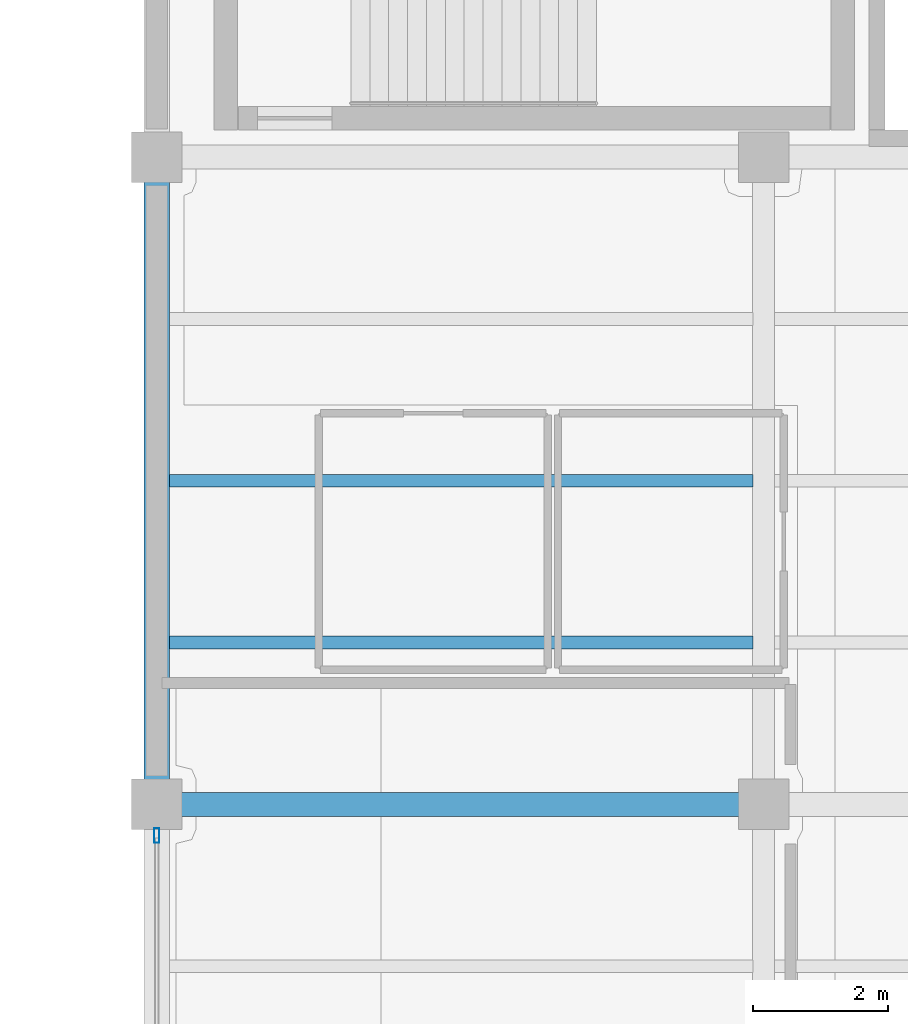
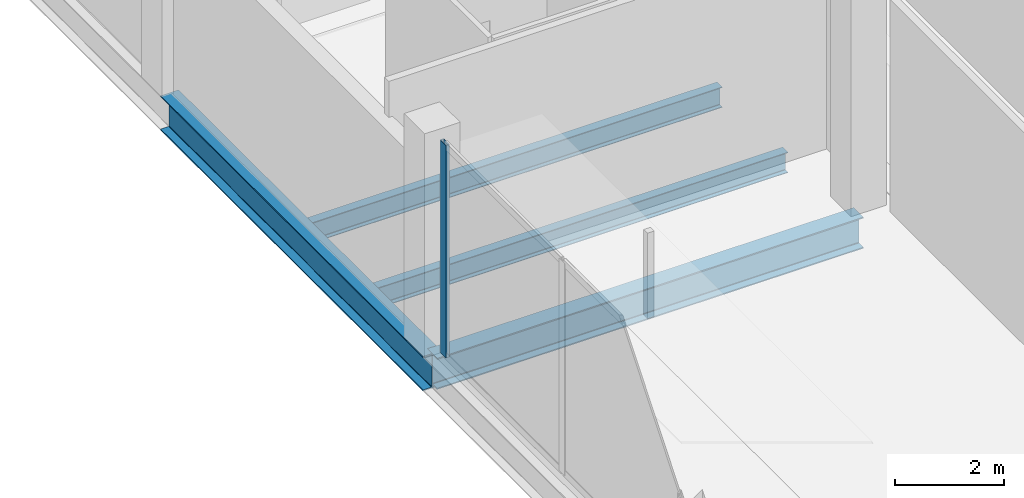
# One storey, part 13 of 47: 4 beams, 1 member, 1 element without a shape of its own.
"""IFC4 building model written with IfcOpenShell, lengths in metres."""

from ifc_helpers import new_model, si_unit, direction, frame, origin, origin_2d, place, context, subcontext, project, spatial, hollow_rectangle, i_section, extrude, material, layer, layer_set, material_profile, profile_set, type_object, element, aggregate, save


model = new_model("IFC4")

# Units and contexts
model_context = context("Model", 3, precision=1e-05, world=origin(), true_north=direction((0.0, 1.0)))
body_context = subcontext(model_context, "Body", "Model", "MODEL_VIEW")
ifc_project = project(units=[si_unit("LENGTHUNIT", "METRE"), si_unit("AREAUNIT", "SQUARE_METRE"), si_unit("VOLUMEUNIT", "CUBIC_METRE"), si_unit("PLANEANGLEUNIT", "RADIAN"), si_unit("MASSUNIT", "GRAM", prefix="KILO")], contexts=[model_context])

# Site, building, storey
site_placement = place(None, origin())
site = spatial("IfcSite", under=ifc_project, at=site_placement, CompositionType="ELEMENT")
building_placement = place(site_placement, origin())
building = spatial("IfcBuilding", under=site, at=building_placement, Name="Qorvath Tower", CompositionType="ELEMENT")
storey_placement = place(building_placement, frame((0.0, 0.0, 12.0)))
storey = spatial("IfcBuildingStorey", under=building, at=storey_placement, Name="L02", CompositionType="ELEMENT", Elevation=12.0)

# Beams
ifc_material_1 = material(Name="Steel ASTM A992 Grade 50", Category="steel")
ifc_material_profile_1 = material_profile(ifc_material_1, i_section(OverallWidth=0.381103515625, OverallDepth=0.77294921875, WebThickness=0.0166015625, FlangeThickness=0.027099609375, FilletRadius=0.01904296875, at=origin_2d()), Name="W30x173")
ifc_profile_set_1 = profile_set([ifc_material_profile_1], Name="Steel ASTM A992 Grade 50")
beam_type_1 = type_object("IfcBeamType", Name="BM-FG3", PredefinedType="BEAM", material=ifc_profile_set_1)
beam_1_placement = place(storey_placement, frame((32.39990234375, 19.199951171875, -0.646484375), z_axis=(0.0, 1.0, 0.0), x_axis=(-1.0, 0.0, 0.0)))
element("IfcBeam", 1, at=beam_1_placement, inside=storey, type_object=beam_type_1, Name="Library N-S Girder L02-1-7", PredefinedType="BEAM", context=body_context, shape_type="SweptSolid", body=[
    extrude(i_section(OverallWidth=0.381103515625, OverallDepth=0.77294921875, WebThickness=0.0166015625, FlangeThickness=0.027099609375, FilletRadius=0.01904296875, at=origin_2d()), origin(), (0.0, 0.0, 1.0), 9.60009765625),
])
ifc_material_2 = material(Name="Steel ASTM A992 Grade 50", Category="steel")
ifc_material_profile_2 = material_profile(ifc_material_2, i_section(OverallWidth=0.35595703125, OverallDepth=0.696044921875, WebThickness=0.015380859375, FlangeThickness=0.02490234375, FilletRadius=0.01806640625, at=origin_2d()), Name="W27x146")
ifc_profile_set_2 = profile_set([ifc_material_profile_2], Name="Steel ASTM A992 Grade 50")
beam_type_2 = type_object("IfcBeamType", Name="BM-FG4", PredefinedType="BEAM", material=ifc_profile_set_2)
beam_2_placement = place(storey_placement, frame((32.39990234375, 19.199951171875, -0.60791015625), z_axis=(1.0, 0.0, 0.0), x_axis=(0.0, 1.0, 0.0)))
element("IfcBeam", 2, at=beam_2_placement, inside=storey, type_object=beam_type_2, Name="Library E-W Girder L02-7-1", PredefinedType="BEAM", context=body_context, shape_type="SweptSolid", body=[
    extrude(i_section(OverallWidth=0.35595703125, OverallDepth=0.696044921875, WebThickness=0.015380859375, FlangeThickness=0.02490234375, FilletRadius=0.01806640625, at=origin_2d()), origin(), (0.0, 0.0, 1.0), 9.0),
])
ifc_material_3 = material(Name="Steel ASTM A992 Grade 50", Category="steel")
ifc_material_profile_3 = material_profile(ifc_material_3, i_section(OverallWidth=0.18994140625, OverallDepth=0.45703125, WebThickness=0.009033203125, FlangeThickness=0.014404296875, FilletRadius=0.011962890625, at=origin_2d()), Name="W18x50")
ifc_profile_set_3 = profile_set([ifc_material_profile_3], Name="Steel ASTM A992 Grade 50")
beam_type_3 = type_object("IfcBeamType", Name="BM-FJ2", PredefinedType="JOIST", material=ifc_profile_set_3)
for number, where, z_axis, x_axis, name in (
    (3, (32.58837890625, 21.60009765625, -0.488525390625), (1.0, 0.0, 0.0), (0.0, 1.0, 0.0), "Library Stack Joist L02-7.1-1"),
    (4, (32.58837890625, 24.0, -0.488525390625), (1.0, 0.0, 0.0), (0.0, 1.0, 0.0), "Library Stack Joist L02-7.2-1"),
):
    element("IfcBeam", number, at=place(storey_placement, frame(where, z_axis=z_axis, x_axis=x_axis)), inside=storey, type_object=beam_type_3, Name=name, PredefinedType="JOIST", context=body_context, shape_type="SweptSolid", body=[
        extrude(i_section(OverallWidth=0.18994140625, OverallDepth=0.45703125, WebThickness=0.009033203125, FlangeThickness=0.014404296875, FilletRadius=0.011962890625, at=origin_2d()), origin(), (0.0, 0.0, 1.0), 8.651123046875),
    ])

# Curtain wall, member
ifc_material_4 = material(Name="Anodised aluminium and triple low-E glass", Category="aluminium")
ifc_layer = layer(ifc_material_4, 0.179931640625)
ifc_layer_set = layer_set([ifc_layer], Name="CW-SYS-6")
curtain_wall_type = type_object("IfcCurtainWallType", Name="CW-SYS-6", PredefinedType="NOTDEFINED", material=ifc_layer_set)
curtain_wall_placement = place(storey_placement, origin())
curtain_wall = element("IfcCurtainWall", 5, at=curtain_wall_placement, inside=storey, type_object=curtain_wall_type, Name="Curtain Wall CW-6 CW-LIB-W-L02-6", PredefinedType="NOTDEFINED")
ifc_material_5 = material(Name="Anodised aluminium 6063-T6", Category="aluminium")
ifc_material_profile_4 = material_profile(ifc_material_5, hollow_rectangle(XDim=0.080078125, YDim=0.219970703125, WallThickness=0.00439453125, InnerFilletRadius=0.00439453125, OuterFilletRadius=0.009033203125, at=origin_2d()), Name="CWM LIB 220x80")
ifc_profile_set_4 = profile_set([ifc_material_profile_4], Name="Anodised aluminium 6063-T6")
member_type = type_object("IfcMemberType", Name="CWM-LIB", PredefinedType="MULLION", material=ifc_profile_set_4)
member_placement = place(storey_placement, frame((32.39990234375, 18.739990234375, 0.0), z_axis=(0.0, 0.0, 1.0), x_axis=(-1.0, 0.0, 0.0)))
member = element("IfcMember", 6, at=member_placement, type_object=member_type, Name="CW-6 mullion 3", PredefinedType="MULLION", context=body_context, shape_type="SweptSolid", body=[
    extrude(hollow_rectangle(XDim=0.080078125, YDim=0.219970703125, WallThickness=0.00439453125, InnerFilletRadius=0.00439453125, OuterFilletRadius=0.009033203125, at=origin_2d()), origin(), (0.0, 0.0, 1.0), 4.739990234375),
])
aggregate(curtain_wall, [member])

save(model, "model.ifc")
